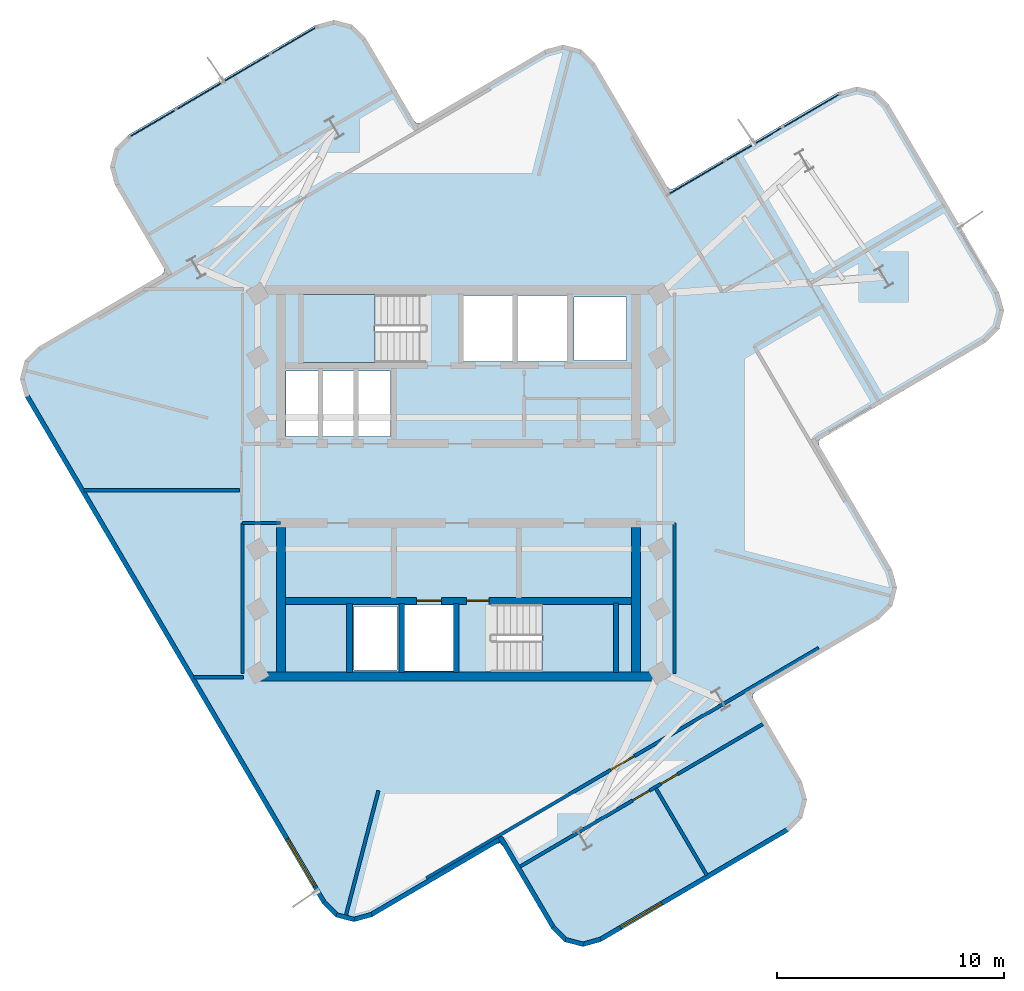
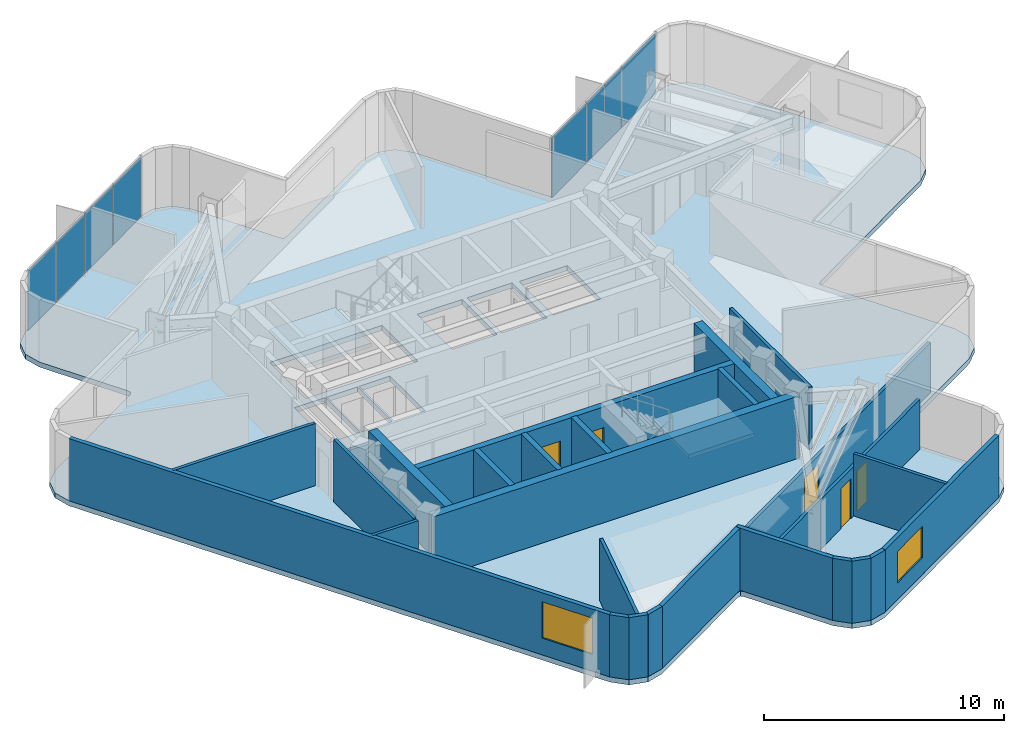
# One storey, part 3 of 8: 27 walls, 7 plates, 5 doors, 3 slabs, 2 windows, 7 openings, 4 elements without a shape of their own.
"""IFC4 building model written with IfcOpenShell, lengths in metres."""

from ifc_helpers import new_model, si_unit, direction, frame, frame_2d, origin, origin_2d, place, context, subcontext, project, spatial, polyline, rectangle, outline, extrude, material, layer, layer_set, type_object, element, fill, aggregate, save


model = new_model("IFC4")

# Units and contexts
model_context = context("Model", 3, precision=1e-05, world=origin(), true_north=direction((0.0, 1.0)))
body_context = subcontext(model_context, "Body", "Model", "MODEL_VIEW")
ifc_project = project(units=[si_unit("LENGTHUNIT", "METRE"), si_unit("AREAUNIT", "SQUARE_METRE"), si_unit("VOLUMEUNIT", "CUBIC_METRE"), si_unit("PLANEANGLEUNIT", "RADIAN"), si_unit("MASSUNIT", "GRAM", prefix="KILO")], contexts=[model_context])

# Site, building, storey
site_placement = place(None, origin())
site = spatial("IfcSite", under=ifc_project, at=site_placement, CompositionType="ELEMENT")
building_placement = place(site_placement, origin())
building = spatial("IfcBuilding", under=site, at=building_placement, Name="Solmarez Civic Tower", CompositionType="ELEMENT")
storey_placement = place(building_placement, frame((0.0, 0.0, 212.0400390625)))
storey = spatial("IfcBuildingStorey", under=building, at=storey_placement, Name="L56", CompositionType="ELEMENT", Elevation=212.0400390625)

# Curtain wall, plates
ifc_material_1 = material(Name="Bronze Anodised Aluminium EN AW-6063 T6", Category="aluminium")
ifc_layer_1 = layer(ifc_material_1, 0.1650390625)
ifc_layer_set_1 = layer_set([ifc_layer_1], Name="Bronze Anodised Aluminium EN AW-6063 T6")
curtain_wall_type = type_object("IfcCurtainWallType", Name="CW-SYS-4", PredefinedType="NOTDEFINED", material=ifc_layer_set_1)
curtain_wall_1_placement = place(storey_placement, origin())
curtain_wall_1 = element("IfcCurtainWall", 1, at=curtain_wall_1_placement, inside=storey, type_object=curtain_wall_type, Name="L56 Stick-Built Curtain Wall 1", PredefinedType="NOTDEFINED")
ifc_material_2 = material(Name="Solar Control Low-E Laminated Vision Glass", Category="glass")
ifc_layer_2 = layer(ifc_material_2, 0.0400390625)
ifc_layer_set_2 = layer_set([ifc_layer_2], Name="Solar Control Low-E Laminated Vision Glass")
plate_type = type_object("IfcPlateType", Name="CWP-GLAZ-40", PredefinedType="CURTAIN_PANEL", material=ifc_layer_set_2)
plate_1_placement = place(storey_placement, frame((-13.473388671875, 15.862548828125, 0.070068359375), z_axis=(0.0, 0.0, 1.0), x_axis=(0.862475926662, 0.506098089236, 0.0)))
plate_1 = element("IfcPlate", 2, at=plate_1_placement, type_object=plate_type, Name="CWS4 panel 1.1", PredefinedType="CURTAIN_PANEL", context=body_context, shape_type="SweptSolid", body=[
    extrude(rectangle(XDim=2.316162109375, YDim=0.0400390625, at=origin_2d()), origin(), (0.0, 0.0, 1.0), 3.02001953125),
])
plate_2_placement = place(storey_placement, frame((-11.4111328125, 17.072509765625, 0.070068359375), z_axis=(0.0, 0.0, 1.0), x_axis=(0.862475926662, 0.506098089236, 0.0)))
plate_2 = element("IfcPlate", 3, at=plate_2_placement, type_object=plate_type, Name="CWS4 panel 2.1", PredefinedType="CURTAIN_PANEL", context=body_context, shape_type="SweptSolid", body=[
    extrude(rectangle(XDim=2.34619140625, YDim=0.0400390625, at=origin_2d()), origin(), (0.0, 0.0, 1.0), 3.02001953125),
])
plate_3_placement = place(storey_placement, frame((-9.3359375, 18.290283203125, 0.070068359375), z_axis=(0.0, 0.0, 1.0), x_axis=(0.862475926662, 0.506098089236, 0.0)))
plate_3 = element("IfcPlate", 4, at=plate_3_placement, type_object=plate_type, Name="CWS4 panel 3.1", PredefinedType="CURTAIN_PANEL", context=body_context, shape_type="SweptSolid", body=[
    extrude(rectangle(XDim=2.34619140625, YDim=0.0400390625, at=origin_2d()), origin(), (0.0, 0.0, 1.0), 3.02001953125),
])
plate_4_placement = place(storey_placement, frame((-7.273681640625, 19.50048828125, 0.070068359375), z_axis=(0.0, 0.0, 1.0), x_axis=(0.862475926662, 0.506098089236, 0.0)))
plate_4 = element("IfcPlate", 5, at=plate_4_placement, type_object=plate_type, Name="CWS4 panel 4.1", PredefinedType="CURTAIN_PANEL", context=body_context, shape_type="SweptSolid", body=[
    extrude(rectangle(XDim=2.316162109375, YDim=0.0400390625, at=origin_2d()), origin(), (0.0, 0.0, 1.0), 3.02001953125),
])
aggregate(curtain_wall_1, [plate_1, plate_2, plate_3, plate_4])

curtain_wall_2_placement = place(storey_placement, origin())
curtain_wall_2 = element("IfcCurtainWall", 6, at=curtain_wall_2_placement, inside=storey, type_object=curtain_wall_type, Name="L56 Stick-Built Curtain Wall 2", PredefinedType="NOTDEFINED")
plate_5_placement = place(storey_placement, frame((10.489990234375, 13.460205078125, 0.070068359375), z_axis=(0.0, 0.0, 1.0), x_axis=(0.862599268071, 0.50588783611, 0.0)))
plate_5 = element("IfcPlate", 7, at=plate_5_placement, type_object=plate_type, Name="CWS4 panel 1.1", PredefinedType="CURTAIN_PANEL", context=body_context, shape_type="SweptSolid", body=[
    extrude(rectangle(XDim=2.857177734375, YDim=0.0400390625, at=origin_2d()), origin(), (0.0, 0.0, 1.0), 3.02001953125),
])
plate_6_placement = place(storey_placement, frame((13.01953125, 14.943603515625, 0.070068359375), z_axis=(0.0, 0.0, 1.0), x_axis=(0.862599268071, 0.50588783611, 0.0)))
plate_6 = element("IfcPlate", 8, at=plate_6_placement, type_object=plate_type, Name="CWS4 panel 2.1", PredefinedType="CURTAIN_PANEL", context=body_context, shape_type="SweptSolid", body=[
    extrude(rectangle(XDim=2.88720703125, YDim=0.0400390625, at=origin_2d()), origin(), (0.0, 0.0, 1.0), 3.02001953125),
])
plate_7_placement = place(storey_placement, frame((15.548828125, 16.427001953125, 0.070068359375), z_axis=(0.0, 0.0, 1.0), x_axis=(0.862599268071, 0.50588783611, 0.0)))
plate_7 = element("IfcPlate", 9, at=plate_7_placement, type_object=plate_type, Name="CWS4 panel 3.1", PredefinedType="CURTAIN_PANEL", context=body_context, shape_type="SweptSolid", body=[
    extrude(rectangle(XDim=2.857177734375, YDim=0.0400390625, at=origin_2d()), origin(), (0.0, 0.0, 1.0), 3.02001953125),
])
aggregate(curtain_wall_2, [plate_5, plate_6, plate_7])

# Stair, slab
ifc_material_3 = material(Name="Concrete C50/60", Category="concrete")
stair_type = type_object("IfcStairType", Name="STAIR-DOGLEG-140W-18R-1900", PredefinedType="HALF_TURN_STAIR", material=ifc_material_3)
stair_1_placement = place(storey_placement, origin())
stair_1 = element("IfcStair", 10, at=stair_1_placement, inside=storey, type_object=stair_type, Name="L56 North Core Protected Exit Stair ST-1", PredefinedType="HALF_TURN_STAIR")
ifc_layer_3 = layer(ifc_material_3, 0.199951171875)
ifc_layer_set_3 = layer_set([ifc_layer_3], Name="Concrete C50/60")
slab_type_1 = type_object("IfcSlabType", Name="SLAB-LANDING-200", PredefinedType="LANDING", material=ifc_layer_set_3)
slab_1_placement = place(storey_placement, frame((0.0, 0.0, 1.510009765625)))
slab_1 = element("IfcSlab", 11, at=slab_1_placement, type_object=slab_type_1, Name="ST-1 landing 1", PredefinedType="LANDING", context=body_context, shape_type="SweptSolid", body=[
    extrude(outline(polyline([(-3.68994140625, 8.320068359375), (-6.85009765625, 8.320068359375), (-6.85009765625, 5.320068359375), (-3.68994140625, 5.320068359375), (-3.68994140625, 8.320068359375)])), origin(), (0.0, 0.0, 1.0), 0.199951171875),
])
aggregate(stair_1, [slab_1])

stair_2_placement = place(storey_placement, origin())
stair_2 = element("IfcStair", 12, at=stair_2_placement, inside=storey, type_object=stair_type, Name="L56 South Core Protected Exit Stair ST-2", PredefinedType="HALF_TURN_STAIR")
slab_2_placement = place(storey_placement, frame((0.0, 0.0, 1.510009765625)))
slab_2 = element("IfcSlab", 13, at=slab_2_placement, type_object=slab_type_1, Name="ST-2 landing 1", PredefinedType="LANDING", context=body_context, shape_type="SweptSolid", body=[
    extrude(outline(polyline([(3.68994140625, -8.320068359375), (6.85009765625, -8.320068359375), (6.85009765625, -5.320068359375), (3.68994140625, -5.320068359375), (3.68994140625, -8.320068359375)])), origin(), (0.0, 0.0, 1.0), 0.199951171875),
])
aggregate(stair_2, [slab_2])

# Slab
ifc_layer_4 = layer(ifc_material_3, 0.260009765625)
ifc_layer_set_4 = layer_set([ifc_layer_4], Name="Concrete C50/60")
slab_type_2 = type_object("IfcSlabType", Name="SLAB-TOWER-260", PredefinedType="FLOOR", material=ifc_layer_set_4)
slab_3_placement = place(storey_placement, frame((0.0, 0.0, -0.260009765625)))
element("IfcSlab", 14, at=slab_3_placement, inside=storey, type_object=slab_type_2, Name="L56 Structural Slab", PredefinedType="FLOOR", context=body_context, shape_type="SweptSolid", body=[
    extrude(outline(polyline([(1.948974609375, -15.969970703125), (4.094970703125, -19.6259765625), (4.68408203125, -20.2080078125), (5.486083984375, -20.4169921875), (6.283935546875, -20.197021484375), (14.56396484375, -15.339111328125), (15.14599609375, -14.7490234375), (15.35498046875, -13.947998046875), (15.135009765625, -13.14892578125), (12.989013671875, -9.492919921875), (12.944091796875, -9.326904296875), (13.06494140625, -9.2041015625), (18.531982421875, -5.99609375), (19.114013671875, -5.406982421875), (19.322998046875, -4.60498046875), (19.10302734375, -3.806884765625), (15.89501953125, 1.660888671875), (15.84912109375, 1.826904296875), (15.969970703125, 1.948974609375), (23.2490234375, 6.219970703125), (23.830078125, 6.81005859375), (24.0390625, 7.611083984375), (23.819091796875, 8.409912109375), (18.9609375, 16.68994140625), (18.3720703125, 17.27099609375), (17.570068359375, 17.47998046875), (16.77197265625, 17.260009765625), (9.492919921875, 12.989013671875), (9.326904296875, 12.944091796875), (9.2041015625, 13.06494140625), (5.99609375, 18.531982421875), (5.406982421875, 19.114013671875), (4.60498046875, 19.322998046875), (3.806884765625, 19.10302734375), (-1.660888671875, 15.89501953125), (-1.826904296875, 15.84912109375), (-1.948974609375, 15.969970703125), (-4.094970703125, 19.6259765625), (-4.68408203125, 20.2080078125), (-5.486083984375, 20.4169921875), (-6.283935546875, 20.197021484375), (-14.56396484375, 15.339111328125), (-15.14599609375, 14.7490234375), (-15.35498046875, 13.947998046875), (-15.135009765625, 13.14892578125), (-12.989013671875, 9.492919921875), (-12.944091796875, 9.326904296875), (-13.06494140625, 9.2041015625), (-18.531982421875, 5.99609375), (-19.114013671875, 5.406982421875), (-19.322998046875, 4.60498046875), (-19.10302734375, 3.806884765625), (-5.99609375, -18.531982421875), (-5.406982421875, -19.114013671875), (-4.60498046875, -19.322998046875), (-3.806884765625, -19.10302734375), (1.660888671875, -15.89501953125), (1.826904296875, -15.84912109375), (1.948974609375, -15.969970703125)]), holes=[polyline([(-1.449951171875, 8.320068359375), (-6.85009765625, 8.320068359375), (-6.85009765625, 5.320068359375), (-1.449951171875, 5.320068359375), (-1.449951171875, 8.320068359375)]), polyline([(1.449951171875, -8.320068359375), (6.85009765625, -8.320068359375), (6.85009765625, -5.320068359375), (1.449951171875, -5.320068359375), (1.449951171875, -8.320068359375)]), polyline([(0.219970703125, 5.360107421875), (2.3798828125, 5.360107421875), (2.3798828125, 8.280029296875), (0.219970703125, 8.280029296875), (0.219970703125, 5.360107421875)]), polyline([(2.6201171875, 5.360107421875), (4.780029296875, 5.360107421875), (4.780029296875, 8.280029296875), (2.6201171875, 8.280029296875), (2.6201171875, 5.360107421875)]), polyline([(-2.3798828125, -8.280029296875), (-0.219970703125, -8.280029296875), (-0.219970703125, -5.360107421875), (-2.3798828125, -5.360107421875), (-2.3798828125, -8.280029296875)]), polyline([(-7.60009765625, 2.06005859375), (-6.1201171875, 2.06005859375), (-6.1201171875, 4.9599609375), (-7.60009765625, 4.9599609375), (-7.60009765625, 2.06005859375)]), polyline([(-6.0400390625, 2.06005859375), (-4.56005859375, 2.06005859375), (-4.56005859375, 4.9599609375), (-6.0400390625, 4.9599609375), (-6.0400390625, 2.06005859375)]), polyline([(-4.47998046875, 2.06005859375), (-3.0, 2.06005859375), (-3.0, 4.9599609375), (-4.47998046875, 4.9599609375), (-4.47998046875, 2.06005859375)]), polyline([(5.10009765625, 5.419921875), (7.39990234375, 5.419921875), (7.39990234375, 8.219970703125), (5.10009765625, 8.219970703125), (5.10009765625, 5.419921875)]), polyline([(-4.60009765625, -8.219970703125), (-2.699951171875, -8.219970703125), (-2.699951171875, -5.419921875), (-4.60009765625, -5.419921875), (-4.60009765625, -8.219970703125)])]), origin(), (0.0, 0.0, 1.0), 0.260009765625),
])

# Walls
ifc_layer_5 = layer(ifc_material_3, 0.39990234375)
ifc_layer_set_5 = layer_set([ifc_layer_5], Name="Concrete C50/60")
wall_type_1 = type_object("IfcWallType", Name="WALL-CORE-400", PredefinedType="SHEAR", material=ifc_layer_set_5)
wall_1_placement = place(storey_placement, frame((8.780029296875, -8.510009765625, 0.0), z_axis=(0.0, 0.0, 1.0), x_axis=(-1.0, 0.0, 0.0)))
element("IfcWall", 15, at=wall_1_placement, inside=storey, type_object=wall_type_1, Name="L56 Split-Core Structural Wall SCW-S-L56", PredefinedType="SHEAR", context=body_context, shape_type="SweptSolid", body=[
    extrude(rectangle(XDim=17.56005859375, YDim=0.39990234375, at=frame_2d((8.780029296875, 0.0))), origin(), (0.0, 0.0, 1.0), 3.159912109375),
])
for number, where, z_axis, x_axis, name in (
    (16, (-7.820068359375, -8.31005859375, 0.0), (0.0, 0.0, 1.0), (0.0, 1.0, 0.0), "L56 Split-Core Structural Wall SCW-W-L56"),
    (17, (7.820068359375, -1.949951171875, 0.0), (0.0, 0.0, 1.0), (0.0, -1.0, 0.0), "L56 Split-Core Structural Wall SCW-E-L56"),
):
    element("IfcWall", number, at=place(storey_placement, frame(where, z_axis=z_axis, x_axis=x_axis)), inside=storey, type_object=wall_type_1, Name=name, PredefinedType="SHEAR", context=body_context, shape_type="SweptSolid", body=[
        extrude(rectangle(XDim=6.360107421875, YDim=0.39990234375, at=frame_2d((3.18017578125, 0.0))), origin(), (0.0, 0.0, 1.0), 3.159912109375),
    ])
ifc_material_4 = material(Name="Precast concrete C40/50", Category="concrete")
ifc_layer_6 = layer(ifc_material_4, 0.199951171875)
ifc_layer_set_6 = layer_set([ifc_layer_6], Name="Precast concrete C40/50")
wall_type_2 = type_object("IfcWallType", Name="WALL-EXT-200", PredefinedType="SOLIDWALL", material=ifc_layer_set_6)
wall_2_placement = place(storey_placement, frame((1.947998046875, -15.612060546875, 0.0), z_axis=(0.0, 0.0, 1.0), x_axis=(-0.86259717351, -0.505891407569, 0.0)))
element("IfcWall", 18, at=wall_2_placement, inside=storey, type_object=wall_type_2, Name="L56 Exterior Precast Wall 2", PredefinedType="SOLIDWALL", context=body_context, shape_type="SweptSolid", body=[
    extrude(rectangle(XDim=6.742431640625, YDim=0.199951171875, at=frame_2d((3.37109375, 0.0))), origin(), (0.0, 0.0, 1.0), 3.159912109375),
])
wall_3_placement = place(storey_placement, frame((-3.822021484375, -19.0029296875, 0.0), z_axis=(0.0, 0.0, 1.0), x_axis=(-0.963905015631, -0.266246353668, 0.0)))
element("IfcWall", 19, at=wall_3_placement, inside=storey, type_object=wall_type_2, Name="L56 Exterior Precast Wall 3", PredefinedType="SOLIDWALL", context=body_context, shape_type="SweptSolid", body=[
    extrude(rectangle(XDim=0.838134765625, YDim=0.199951171875, at=frame_2d((0.4189453125, 0.0))), origin(), (0.0, 0.0, 1.0), 3.159912109375),
])
wall_4_placement = place(storey_placement, frame((-4.58203125, -19.22509765625, 0.0), z_axis=(0.0, 0.0, 1.0), x_axis=(-0.967943577658, 0.251167733737, 0.0)))
element("IfcWall", 20, at=wall_4_placement, inside=storey, type_object=wall_type_2, Name="L56 Exterior Precast Wall 4", PredefinedType="SOLIDWALL", context=body_context, shape_type="SweptSolid", body=[
    extrude(rectangle(XDim=0.82421875, YDim=0.199951171875, at=frame_2d((0.412109375, 0.0))), origin(), (0.0, 0.0, 1.0), 3.159912109375),
])
wall_5_placement = place(storey_placement, frame((-5.337890625, -19.0419921875, 0.0), z_axis=(0.0, 0.0, 1.0), x_axis=(-0.711310891957, 0.702877524881, 0.0)))
element("IfcWall", 21, at=wall_5_placement, inside=storey, type_object=wall_type_2, Name="L56 Exterior Precast Wall 5", PredefinedType="SOLIDWALL", context=body_context, shape_type="SweptSolid", body=[
    extrude(rectangle(XDim=0.839599609375, YDim=0.199951171875, at=frame_2d((0.419921875, 0.0))), origin(), (0.0, 0.0, 1.0), 3.159912109375),
])

# Wall, opening, window
wall_6_placement = place(storey_placement, frame((-5.904052734375, -18.491943359375, 0.0), z_axis=(0.0, 0.0, 1.0), x_axis=(-0.506046465446, 0.862506217258, 0.0)))
wall_6 = element("IfcWall", 22, at=wall_6_placement, inside=storey, type_object=wall_type_2, Name="L56 Exterior Precast Wall 6", PredefinedType="SOLIDWALL", context=body_context, shape_type="SweptSolid", body=[
    extrude(rectangle(XDim=25.92431640625, YDim=0.199951171875, at=frame_2d((12.962158203125, 0.0))), origin(), (0.0, 0.0, 1.0), 3.159912109375),
])
opening_1_placement = place(wall_6_placement, frame((0.85009765625, 0.0, 0.85009765625)))
opening_1 = element("IfcOpeningElement", 23, at=opening_1_placement, cuts=wall_6, Name="Opening W-06", PredefinedType="OPENING", context=body_context, shape_type="SweptSolid", body=[
    extrude(rectangle(XDim=2.39990234375, YDim=1.85009765625, at=frame_2d((1.199951171875, 0.925048828125))), frame((0.0, 0.10986328125, 0.0), z_axis=(0.0, -1.0, 0.0), x_axis=(1.0, 0.0, 0.0)), (0.0, 0.0, 1.0), 0.219970703125),
])
ifc_material_5 = material(Name="Solar Control Bronze-Tinted Insulating Glass", Category="glass")
window_type_1 = type_object("IfcWindowType", Name="WIN-2400X1850", PartitioningType="SINGLE_PANEL", PredefinedType="WINDOW", material=ifc_material_5)
window_1_placement = place(opening_1_placement, origin())
window_1 = element("IfcWindow", 24, at=window_1_placement, inside=storey, type_object=window_type_1, Name="L56 Exterior Facade Window 6", OverallHeight=1.85009765625, OverallWidth=2.39990234375, PartitioningType="SINGLE_PANEL", PredefinedType="WINDOW", context=body_context, shape_type="SweptSolid", body=[
    extrude(rectangle(XDim=2.39990234375, YDim=1.85009765625, at=frame_2d((1.199951171875, 0.925048828125))), frame((0.0, 0.030029296875, 0.0), z_axis=(0.0, -1.0, 0.0), x_axis=(1.0, 0.0, 0.0)), (0.0, 0.0, 1.0), 0.06005859375),
])
fill(opening_1, window_1)

wall_7_placement = place(storey_placement, frame((14.52392578125, -15.24609375, 0.0), z_axis=(0.0, 0.0, 1.0), x_axis=(-0.862483422861, -0.506085314241, 0.0)))
wall_7 = element("IfcWall", 25, at=wall_7_placement, inside=storey, type_object=wall_type_2, Name="L56 Exterior Precast Wall 53", PredefinedType="SOLIDWALL", context=body_context, shape_type="SweptSolid", body=[
    extrude(rectangle(XDim=9.62451171875, YDim=0.199951171875, at=frame_2d((4.812255859375, 0.0))), origin(), (0.0, 0.0, 1.0), 3.159912109375),
])
opening_2_placement = place(wall_7_placement, frame((6.45703125, 0.0, 0.85009765625)))
opening_2 = element("IfcOpeningElement", 26, at=opening_2_placement, cuts=wall_7, Name="Opening W-11", PredefinedType="OPENING", context=body_context, shape_type="SweptSolid", body=[
    extrude(rectangle(XDim=2.10009765625, YDim=1.60009765625, at=frame_2d((1.050048828125, 0.800048828125))), frame((0.0, 0.10986328125, 0.0), z_axis=(0.0, -1.0, 0.0), x_axis=(1.0, 0.0, 0.0)), (0.0, 0.0, 1.0), 0.219970703125),
])
window_type_2 = type_object("IfcWindowType", Name="WIN-2100X1600", PartitioningType="SINGLE_PANEL", PredefinedType="WINDOW", material=ifc_material_5)
window_2_placement = place(opening_2_placement, origin())
window_2 = element("IfcWindow", 27, at=window_2_placement, inside=storey, type_object=window_type_2, Name="L56 Exterior Facade Window 53", OverallHeight=1.60009765625, OverallWidth=2.10009765625, PartitioningType="SINGLE_PANEL", PredefinedType="WINDOW", context=body_context, shape_type="SweptSolid", body=[
    extrude(rectangle(XDim=2.10009765625, YDim=1.60009765625, at=frame_2d((1.050048828125, 0.800048828125))), frame((0.0, 0.030029296875, 0.0), z_axis=(0.0, -1.0, 0.0), x_axis=(1.0, 0.0, 0.0)), (0.0, 0.0, 1.0), 0.06005859375),
])
fill(opening_2, window_2)

# Walls
wall_8_placement = place(storey_placement, frame((6.26904296875, -20.096923828125, 0.0), z_axis=(0.0, 0.0, 1.0), x_axis=(-0.963925656212, -0.266171616247, 0.0)))
element("IfcWall", 28, at=wall_8_placement, inside=storey, type_object=wall_type_2, Name="L56 Exterior Precast Wall 54", PredefinedType="SOLIDWALL", context=body_context, shape_type="SweptSolid", body=[
    extrude(rectangle(XDim=0.83837890625, YDim=0.199951171875, at=frame_2d((0.419189453125, 0.0))), origin(), (0.0, 0.0, 1.0), 3.159912109375),
])
wall_9_placement = place(storey_placement, frame((5.509033203125, -20.319091796875, 0.0), z_axis=(0.0, 0.0, 1.0), x_axis=(-0.967962254737, 0.251095745493, 0.0)))
element("IfcWall", 29, at=wall_9_placement, inside=storey, type_object=wall_type_2, Name="L56 Exterior Precast Wall 55", PredefinedType="SOLIDWALL", context=body_context, shape_type="SweptSolid", body=[
    extrude(rectangle(XDim=0.824462890625, YDim=0.199951171875, at=frame_2d((0.412109375, 0.0))), origin(), (0.0, 0.0, 1.0), 3.159912109375),
])
wall_10_placement = place(storey_placement, frame((4.7529296875, -20.135986328125, 0.0), z_axis=(0.0, 0.0, 1.0), x_axis=(-0.711167178618, 0.70302293281, 0.0)))
element("IfcWall", 30, at=wall_10_placement, inside=storey, type_object=wall_type_2, Name="L56 Exterior Precast Wall 56", PredefinedType="SOLIDWALL", context=body_context, shape_type="SweptSolid", body=[
    extrude(rectangle(XDim=0.83935546875, YDim=0.199951171875, at=frame_2d((0.419677734375, 0.0))), origin(), (0.0, 0.0, 1.0), 3.159912109375),
])
wall_11_placement = place(storey_placement, frame((4.18701171875, -19.5859375, 0.0), z_axis=(0.0, 0.0, 1.0), x_axis=(-0.505936854923, 0.862570518178, 0.0)))
element("IfcWall", 31, at=wall_11_placement, inside=storey, type_object=wall_type_2, Name="L56 Exterior Precast Wall 57", PredefinedType="SOLIDWALL", context=body_context, shape_type="SweptSolid", body=[
    extrude(rectangle(XDim=4.640625, YDim=0.199951171875, at=frame_2d((2.3203125, 0.0))), origin(), (0.0, 0.0, 1.0), 3.159912109375),
])
ifc_material_6 = material(Name="Gypsum Board Acoustic Steel-Stud Partition", Category="steel")
ifc_layer_7 = layer(ifc_material_6, 0.14990234375)
ifc_layer_set_7 = layer_set([ifc_layer_7], Name="Gypsum Board Acoustic Steel-Stud Partition")
wall_type_3 = type_object("IfcWallType", Name="WALL-INT-FIRE-150", PredefinedType="PARTITIONING", material=ifc_layer_set_7)
wall_12_placement = place(storey_placement, frame((-9.52001953125, -8.3798828125, 0.0), z_axis=(0.0, 0.0, 1.0), x_axis=(0.0, 1.0, 0.0)))
element("IfcWall", 32, at=wall_12_placement, inside=storey, type_object=wall_type_3, Name="L56 Interior Partition CHW-L56-WS1", PredefinedType="PARTITIONING", context=body_context, shape_type="SweptSolid", body=[
    extrude(rectangle(XDim=6.6298828125, YDim=0.14990234375, at=frame_2d((3.31494140625, 0.0))), origin(), (0.0, 0.0, 1.0), 3.159912109375),
])
wall_13_placement = place(storey_placement, frame((-7.85009765625, -1.75, 0.0), z_axis=(0.0, 0.0, 1.0), x_axis=(-1.0, 0.0, 0.0)))
element("IfcWall", 33, at=wall_13_placement, inside=storey, type_object=wall_type_3, Name="L56 Interior Partition CHW-L56-WS3", PredefinedType="PARTITIONING", context=body_context, shape_type="SweptSolid", body=[
    extrude(rectangle(XDim=1.669921875, YDim=0.14990234375, at=frame_2d((0.8349609375, 0.0))), origin(), (0.0, 0.0, 1.0), 2.389892578125),
])
wall_14_placement = place(storey_placement, frame((9.52001953125, -8.3798828125, 0.0), z_axis=(0.0, 0.0, 1.0), x_axis=(0.0, 1.0, 0.0)))
element("IfcWall", 34, at=wall_14_placement, inside=storey, type_object=wall_type_3, Name="L56 Interior Partition CHW-L56-ES1", PredefinedType="PARTITIONING", context=body_context, shape_type="SweptSolid", body=[
    extrude(rectangle(XDim=6.6298828125, YDim=0.14990234375, at=frame_2d((3.31494140625, 0.0))), origin(), (0.0, 0.0, 1.0), 3.159912109375),
])
ifc_layer_8 = layer(ifc_material_6, 0.14501953125)
ifc_layer_set_8 = layer_set([ifc_layer_8], Name="Gypsum Board Acoustic Steel-Stud Partition")
wall_type_4 = type_object("IfcWallType", Name="WALL-INT-PART-150", PredefinedType="PARTITIONING", material=ifc_layer_set_8)
wall_15_placement = place(storey_placement, frame((-16.501953125, -0.300048828125, 0.0), z_axis=(0.0, 0.0, 1.0), x_axis=(1.0, 0.0, 0.0)))
element("IfcWall", 35, at=wall_15_placement, inside=storey, type_object=wall_type_4, Name="L56 Interior Partition PT-L56-WH-DIV", PredefinedType="PARTITIONING", context=body_context, shape_type="SweptSolid", body=[
    extrude(rectangle(XDim=6.842041015625, YDim=0.14501953125, at=frame_2d((3.4208984375, 0.0))), origin(), (0.0, 0.0, 1.0), 3.159912109375),
])
wall_16_placement = place(storey_placement, frame((-11.662109375, -8.550048828125, 0.0), z_axis=(0.0, 0.0, 1.0), x_axis=(1.0, 0.0, 0.0)))
element("IfcWall", 36, at=wall_16_placement, inside=storey, type_object=wall_type_4, Name="L56 Interior Partition PT-L56-WH-BS", PredefinedType="PARTITIONING", context=body_context, shape_type="SweptSolid", body=[
    extrude(rectangle(XDim=2.18212890625, YDim=0.14501953125, at=frame_2d((1.091064453125, 0.0))), origin(), (0.0, 0.0, 1.0), 3.159912109375),
])
wall_17_placement = place(storey_placement, frame((-3.527099609375, -13.5400390625, 0.0), z_axis=(0.0, 0.0, 1.0), x_axis=(-0.252132617321, -0.967692690519, 0.0)))
element("IfcWall", 37, at=wall_17_placement, inside=storey, type_object=wall_type_4, Name="L56 Interior Partition PT-L56-QDIV-3", PredefinedType="PARTITIONING", context=body_context, shape_type="SweptSolid", body=[
    extrude(rectangle(XDim=5.703369140625, YDim=0.14501953125, at=frame_2d((2.8515625, 0.0))), origin(), (0.0, 0.0, 1.0), 3.159912109375),
])

# Wall, opening, door
wall_18_placement = place(storey_placement, frame((15.873046875, -7.2548828125, 0.0), z_axis=(0.0, 0.0, 1.0), x_axis=(-0.862498672631, -0.506059324299, 0.0)))
wall_18 = element("IfcWall", 38, at=wall_18_placement, inside=storey, type_object=wall_type_4, Name="L56 Interior Partition PT-L56-S-ENT", PredefinedType="PARTITIONING", context=body_context, shape_type="SweptSolid", body=[
    extrude(rectangle(XDim=20.039306640625, YDim=0.14501953125, at=frame_2d((10.01953125, 0.0))), origin(), (0.0, 0.0, 1.0), 2.530029296875),
])
opening_3_placement = place(wall_18_placement, frame((9.419921875, 0.0, 0.0)))
opening_3 = element("IfcOpeningElement", 39, at=opening_3_placement, cuts=wall_18, Name="Opening D-11", PredefinedType="OPENING", context=body_context, shape_type="SweptSolid", body=[
    extrude(rectangle(XDim=1.199951171875, YDim=2.10009765625, at=frame_2d((0.60009765625, 1.050048828125))), frame((0.0, 0.08251953125, 0.0), z_axis=(0.0, -1.0, 0.0), x_axis=(1.0, 0.0, 0.0)), (0.0, 0.0, 1.0), 0.1650390625),
])
ifc_material_7 = material(Name="Glazed-Vision Acoustic Chamber Door", Category="wood")
door_type_1 = type_object("IfcDoorType", Name="DOOR-INT-1200", OperationType="NOTDEFINED", PredefinedType="DOOR", material=ifc_material_7)
door_1_placement = place(opening_3_placement, origin())
door_1 = element("IfcDoor", 40, at=door_1_placement, inside=storey, type_object=door_type_1, Name="L56 Staff Pantry First South Door", OperationType="SINGLE_SWING_LEFT", OverallHeight=2.10009765625, OverallWidth=1.199951171875, PredefinedType="DOOR", context=body_context, shape_type="SweptSolid", body=[
    extrude(rectangle(XDim=1.199951171875, YDim=2.10009765625, at=frame_2d((0.60009765625, 1.050048828125))), frame((0.0, 0.02490234375, 0.0), z_axis=(0.0, -1.0, 0.0), x_axis=(1.0, 0.0, 0.0)), (0.0, 0.0, 1.0), 0.050048828125),
])
fill(opening_3, door_1)

# Wall
wall_19_placement = place(storey_placement, frame((8.699951171875, -13.446044921875, 0.0), z_axis=(0.0, 0.0, 1.0), x_axis=(0.506043007476, -0.862508246097, 0.0)))
element("IfcWall", 41, at=wall_19_placement, inside=storey, type_object=wall_type_4, Name="L56 Interior Partition PT-L56-S-TM3", PredefinedType="PARTITIONING", context=body_context, shape_type="SweptSolid", body=[
    extrude(rectangle(XDim=4.4345703125, YDim=0.14501953125, at=frame_2d((2.21728515625, 0.0))), origin(), (0.0, 0.0, 1.0), 3.159912109375),
])

# Wall, openings, doors
wall_20_placement = place(storey_placement, frame((2.68798828125, -16.904052734375, 0.0), z_axis=(0.0, 0.0, 1.0), x_axis=(0.862497334811, 0.506061604396, 0.0)))
wall_20 = element("IfcWall", 42, at=wall_20_placement, inside=storey, type_object=wall_type_4, Name="L56 Interior Partition PT-L56-S-SCUT", PredefinedType="PARTITIONING", context=body_context, shape_type="SweptSolid", body=[
    extrude(rectangle(XDim=12.470947265625, YDim=0.14501953125, at=frame_2d((6.2353515625, 0.0))), origin(), (0.0, 0.0, 1.0), 2.530029296875),
])
opening_4_placement = place(wall_20_placement, frame((5.784912109375, 0.0, 0.0)))
opening_4 = element("IfcOpeningElement", 43, at=opening_4_placement, cuts=wall_20, Name="Opening D-14", PredefinedType="OPENING", context=body_context, shape_type="SweptSolid", body=[
    extrude(rectangle(XDim=0.860107421875, YDim=2.0400390625, at=frame_2d((0.43017578125, 1.02001953125))), frame((0.0, 0.08251953125, 0.0), z_axis=(0.0, -1.0, 0.0), x_axis=(1.0, 0.0, 0.0)), (0.0, 0.0, 1.0), 0.1650390625),
])
opening_5_placement = place(wall_20_placement, frame((7.22509765625, 0.0, 0.0)))
opening_5 = element("IfcOpeningElement", 44, at=opening_5_placement, cuts=wall_20, Name="Opening D-14", PredefinedType="OPENING", context=body_context, shape_type="SweptSolid", body=[
    extrude(rectangle(XDim=0.860107421875, YDim=2.0400390625, at=frame_2d((0.43017578125, 1.02001953125))), frame((0.0, 0.08251953125, 0.0), z_axis=(0.0, -1.0, 0.0), x_axis=(1.0, 0.0, 0.0)), (0.0, 0.0, 1.0), 0.1650390625),
])
ifc_material_8 = material(Name="Timber Storage and Pantry Door", Category="wood")
door_type_2 = type_object("IfcDoorType", Name="DOOR-INT-850", OperationType="NOTDEFINED", PredefinedType="DOOR", material=ifc_material_8)
door_2_placement = place(opening_4_placement, origin())
door_2 = element("IfcDoor", 45, at=door_2_placement, inside=storey, type_object=door_type_2, Name="L56 Policy Boardroom Third South Door", OperationType="SINGLE_SWING_RIGHT", OverallHeight=2.0400390625, OverallWidth=0.860107421875, PredefinedType="DOOR", context=body_context, shape_type="SweptSolid", body=[
    extrude(rectangle(XDim=0.860107421875, YDim=2.0400390625, at=frame_2d((0.43017578125, 1.02001953125))), frame((0.0, 0.02490234375, 0.0), z_axis=(0.0, -1.0, 0.0), x_axis=(1.0, 0.0, 0.0)), (0.0, 0.0, 1.0), 0.050048828125),
])
fill(opening_4, door_2)
door_3_placement = place(opening_5_placement, origin())
door_3 = element("IfcDoor", 46, at=door_3_placement, inside=storey, type_object=door_type_2, Name="L56 Directorate Office Second South Door", OperationType="SINGLE_SWING_LEFT", OverallHeight=2.0400390625, OverallWidth=0.860107421875, PredefinedType="DOOR", context=body_context, shape_type="SweptSolid", body=[
    extrude(rectangle(XDim=0.860107421875, YDim=2.0400390625, at=frame_2d((0.43017578125, 1.02001953125))), frame((0.0, 0.02490234375, 0.0), z_axis=(0.0, -1.0, 0.0), x_axis=(1.0, 0.0, 0.0)), (0.0, 0.0, 1.0), 0.050048828125),
])
fill(opening_5, door_3)

ifc_layer_9 = layer(ifc_material_3, 0.300048828125)
ifc_layer_set_9 = layer_set([ifc_layer_9], Name="Concrete C50/60")
wall_type_5 = type_object("IfcWallType", Name="WALL-STR-300", PredefinedType="SOLIDWALL", material=ifc_layer_set_9)
wall_21_placement = place(storey_placement, frame((-7.6201171875, -5.179931640625, 0.0), z_axis=(0.0, 0.0, 1.0), x_axis=(1.0, 0.0, 0.0)))
wall_21 = element("IfcWall", 47, at=wall_21_placement, inside=storey, type_object=wall_type_5, Name="L56 Split-Core Structural Wall SCW-M-L56", PredefinedType="SOLIDWALL", context=body_context, shape_type="SweptSolid", body=[
    extrude(rectangle(XDim=15.240234375, YDim=0.300048828125, at=frame_2d((7.6201171875, 0.0))), origin(), (0.0, 0.0, 1.0), 3.159912109375),
])
opening_6_placement = place(wall_21_placement, frame((5.77001953125, 0.0, 0.0)))
opening_6 = element("IfcOpeningElement", 48, at=opening_6_placement, cuts=wall_21, Name="Opening LD-02", PredefinedType="OPENING", context=body_context, shape_type="SweptSolid", body=[
    extrude(rectangle(XDim=1.10009765625, YDim=2.14990234375, at=frame_2d((0.550048828125, 1.074951171875))), frame((0.0, 0.159912109375, 0.0), z_axis=(0.0, -1.0, 0.0), x_axis=(1.0, 0.0, 0.0)), (0.0, 0.0, 1.0), 0.320068359375),
])
opening_7_placement = place(wall_21_placement, frame((7.969970703125, 0.0, 0.0)))
opening_7 = element("IfcOpeningElement", 49, at=opening_7_placement, cuts=wall_21, Name="Opening D-05", PredefinedType="OPENING", context=body_context, shape_type="SweptSolid", body=[
    extrude(rectangle(XDim=1.0, YDim=2.10009765625, at=frame_2d((0.5, 1.050048828125))), frame((0.0, 0.159912109375, 0.0), z_axis=(0.0, -1.0, 0.0), x_axis=(1.0, 0.0, 0.0)), (0.0, 0.0, 1.0), 0.320068359375),
])
ifc_material_9 = material(Name="Fire-Rated Stairwell Exit Door", Category="wood")
door_type_3 = type_object("IfcDoorType", Name="DOOR-FD90-1000", OperationType="NOTDEFINED", PredefinedType="DOOR", material=ifc_material_9)
door_4_placement = place(opening_7_placement, origin())
door_4 = element("IfcDoor", 50, at=door_4_placement, inside=storey, type_object=door_type_3, Name="L56 South Exit Stair Door ST-2", OperationType="SINGLE_SWING_RIGHT", OverallHeight=2.10009765625, OverallWidth=1.0, PredefinedType="DOOR", context=body_context, shape_type="SweptSolid", body=[
    extrude(rectangle(XDim=1.0, YDim=2.10009765625, at=frame_2d((0.5, 1.050048828125))), frame((0.0, 0.02490234375, 0.0), z_axis=(0.0, -1.0, 0.0), x_axis=(1.0, 0.0, 0.0)), (0.0, 0.0, 1.0), 0.050048828125),
])
fill(opening_7, door_4)
ifc_material_10 = material(Name="Stainless Firefighting Lift Landing Sliding Door", Category="aluminium")
door_type_4 = type_object("IfcDoorType", Name="DOOR-LD-FF-1100", OperationType="DOUBLE_DOOR_SLIDING", PredefinedType="DOOR", material=ifc_material_10)
door_5_placement = place(opening_6_placement, origin())
door_5 = element("IfcDoor", 51, at=door_5_placement, inside=storey, type_object=door_type_4, Name="L56 Firefighting Lift Landing Door FFL-2", OperationType="DOUBLE_DOOR_SLIDING", OverallHeight=2.14990234375, OverallWidth=1.10009765625, PredefinedType="DOOR", context=body_context, shape_type="SweptSolid", body=[
    extrude(rectangle(XDim=1.10009765625, YDim=2.14990234375, at=frame_2d((0.550048828125, 1.074951171875))), frame((0.0, 0.02490234375, 0.0), z_axis=(0.0, -1.0, 0.0), x_axis=(1.0, 0.0, 0.0)), (0.0, 0.0, 1.0), 0.050048828125),
])
fill(opening_6, door_5)

# Walls
wall_22_placement = place(storey_placement, frame((6.949951171875, -8.340087890625, 0.0), z_axis=(0.0, 0.0, 1.0), x_axis=(0.0, 1.0, 0.0)))
element("IfcWall", 52, at=wall_22_placement, inside=storey, type_object=wall_type_5, Name="L56 Split-Core Structural Wall SHW-SE-L56", PredefinedType="SOLIDWALL", context=body_context, shape_type="SweptSolid", body=[
    extrude(rectangle(XDim=3.06005859375, YDim=0.219970703125, at=frame_2d((1.530029296875, 0.0))), origin(), (0.0, 0.0, 1.0), 3.159912109375),
])
for number, where, z_axis, x_axis, name in (
    (53, (-0.10009765625, -8.340087890625, 0.0), (0.0, 0.0, 1.0), (0.0, 1.0, 0.0), "L56 Split-Core Structural Wall SHW-S1-L56"),
    (54, (-2.5, -8.340087890625, 0.0), (0.0, 0.0, 1.0), (0.0, 1.0, 0.0), "L56 Split-Core Structural Wall SHW-S2-L56"),
    (55, (-4.800048828125, -8.340087890625, 0.0), (0.0, 0.0, 1.0), (0.0, 1.0, 0.0), "L56 Split-Core Structural Wall SHW-S3-L56"),
):
    element("IfcWall", number, at=place(storey_placement, frame(where, z_axis=z_axis, x_axis=x_axis)), inside=storey, type_object=wall_type_5, Name=name, PredefinedType="SOLIDWALL", context=body_context, shape_type="SweptSolid", body=[
        extrude(rectangle(XDim=3.0400390625, YDim=0.25, at=frame_2d((1.52001953125, 0.0))), origin(), (0.0, 0.0, 1.0), 3.159912109375),
    ])

save(model, "model.ifc")
